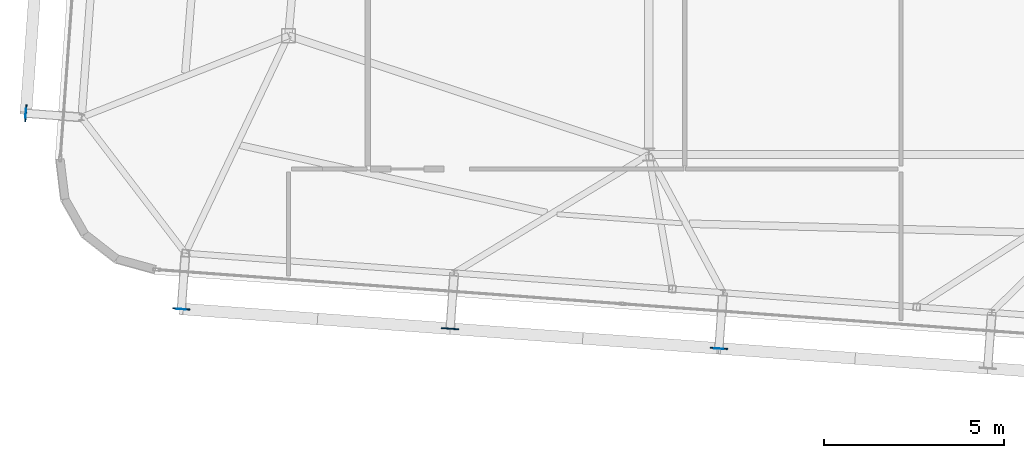
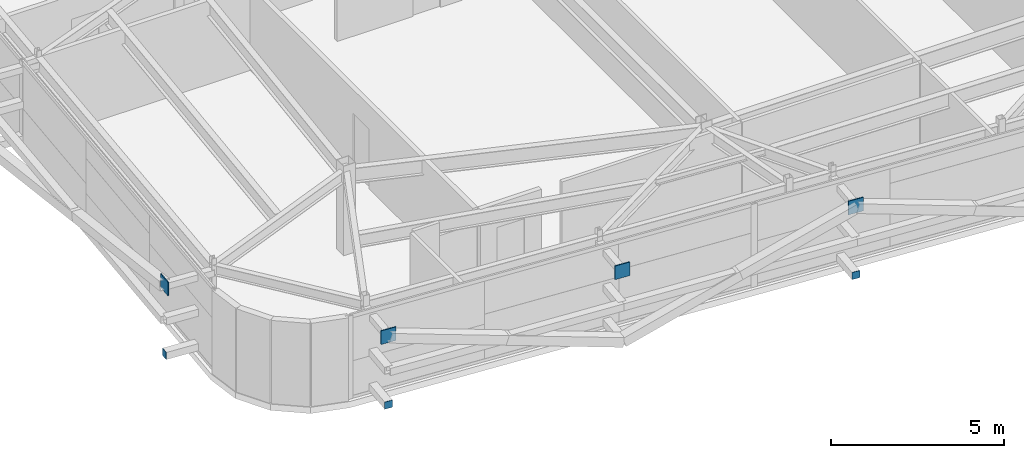
# One storey, part 24 of 34: 7 plates.
"""IFC4 building model written with IfcOpenShell, lengths in metres."""

from ifc_helpers import new_model, si_unit, direction, frame, origin, origin_2d, place, context, subcontext, project, spatial, rectangle, extrude, source, transform, mapped, material, layer, layer_set, type_object, element, save


model = new_model("IFC4")

# Units and contexts
model_context = context("Model", 3, precision=1e-05, world=origin(), true_north=direction((0.0, 1.0)))
body_context = subcontext(model_context, "Body", "Model", "MODEL_VIEW")
ifc_project = project(units=[si_unit("LENGTHUNIT", "METRE"), si_unit("AREAUNIT", "SQUARE_METRE"), si_unit("VOLUMEUNIT", "CUBIC_METRE"), si_unit("PLANEANGLEUNIT", "RADIAN"), si_unit("MASSUNIT", "GRAM", prefix="KILO")], contexts=[model_context])

# Site, building, storey
site_placement = place(None, origin())
site = spatial("IfcSite", under=ifc_project, at=site_placement, CompositionType="ELEMENT")
building_placement = place(site_placement, origin())
building = spatial("IfcBuilding", under=site, at=building_placement, Name="Taldren Reach Tower", CompositionType="ELEMENT")
storey_placement = place(building_placement, frame((0.0, 0.0, 239.75)))
storey = spatial("IfcBuildingStorey", under=building, at=storey_placement, Name="L73", CompositionType="ELEMENT", Elevation=239.75)

# Plates
ifc_material_1 = material(Name="Steel Gr 350 (C350L0)", Category="steel")
ifc_layer_1 = layer(ifc_material_1, 0.011962890625)
ifc_layer_set_1 = layer_set([ifc_layer_1], Name="Steel Gr 350 (C350L0)")
plate_type_1 = type_object("IfcPlateType", Name="PL-CAP-250", PredefinedType="SHEET", material=ifc_layer_set_1)
shared_shape_1 = source(origin(), body_context, "Body", "SweptSolid", [
    extrude(rectangle(XDim=0.25, YDim=0.011962890625, at=origin_2d()), origin(), (0.0, 0.0, 1.0), 0.25),
])
for number, where, z_axis, x_axis, name in (
    (1, (15.026611328125, 4.908447265625, 0.094970703125), (0.0, 0.0, 1.0), (0.997314477224, -0.073238197128, 0.0), "Tie strut end cap plate B5-S1 L73"),
    (2, (29.946533203125, 3.812744140625, 0.094970703125), (0.0, 0.0, 1.0), (0.997314477224, -0.073238197128, 0.0), "Tie strut end cap plate B5-S3 L73"),
):
    element("IfcPlate", number, at=place(storey_placement, frame(where, z_axis=z_axis, x_axis=x_axis)), inside=storey, type_object=plate_type_1, Name=name, PredefinedType="SHEET", context=body_context, shape_type="MappedRepresentation", body=[
        mapped(shared_shape_1, transform((0.0, 0.0, 0.0), scale=1.0)),
    ])
shared_shape_2 = source(origin(), body_context, "Body", "SweptSolid", [
    extrude(rectangle(XDim=0.011962890625, YDim=0.25, at=origin_2d()), origin(), (0.0, 0.0, 1.0), 0.25),
])
plate_placement = place(storey_placement, frame((10.707275390625, 10.345458984375, 0.094970703125), z_axis=(0.0, 0.0, 1.0), x_axis=(0.997314477224, -0.073238197128, 0.0)))
element("IfcPlate", 3, at=plate_placement, inside=storey, type_object=plate_type_1, Name="Tie strut end cap plate B5-W1 L73", PredefinedType="SHEET", context=body_context, shape_type="MappedRepresentation", body=[
    mapped(shared_shape_2, transform((0.0, 0.0, 0.0), scale=1.0)),
])
ifc_material_2 = material(Name="Steel Gr 450 (C450L0)", Category="steel")
ifc_layer_2 = layer(ifc_material_2, 0.031982421875)
ifc_layer_set_2 = layer_set([ifc_layer_2], Name="Steel Gr 450 (C450L0)")
plate_type_2 = type_object("IfcPlateType", Name="PL-GUSSET-32", PredefinedType="SHEET", material=ifc_layer_set_2)
shared_shape_3 = source(origin(), body_context, "Body", "SweptSolid", [
    extrude(rectangle(XDim=0.47998046875, YDim=0.031982421875, at=origin_2d()), origin(), (0.0, 0.0, 1.0), 0.47998046875),
])
for number, where, z_axis, x_axis, name in (
    (4, (15.027099609375, 4.914306640625, 2.409912109375), (0.0, 0.0, 1.0), (0.997314477224, -0.073238197128, 0.0), "Exoskeleton star-node gusset plate B5-S1 L73"),
    (5, (22.487060546875, 4.36669921875, 2.409912109375), (0.0, 0.0, 1.0), (0.997314477224, -0.073238197128, 0.0), "Exoskeleton star-node gusset plate B5-S2 L73"),
    (6, (29.947021484375, 3.81884765625, 2.409912109375), (0.0, 0.0, 1.0), (0.997314477224, -0.073238197128, 0.0), "Exoskeleton star-node gusset plate B5-S3 L73"),
    (7, (10.71337890625, 10.344970703125, 2.409912109375), (0.0, 0.0, 1.0), (0.073238197128, 0.997314477224, 0.0), "Exoskeleton star-node gusset plate B5-W1 L73"),
):
    element("IfcPlate", number, at=place(storey_placement, frame(where, z_axis=z_axis, x_axis=x_axis)), inside=storey, type_object=plate_type_2, Name=name, PredefinedType="SHEET", context=body_context, shape_type="MappedRepresentation", body=[
        mapped(shared_shape_3, transform((0.0, 0.0, 0.0), scale=1.0)),
    ])

save(model, "model.ifc")
